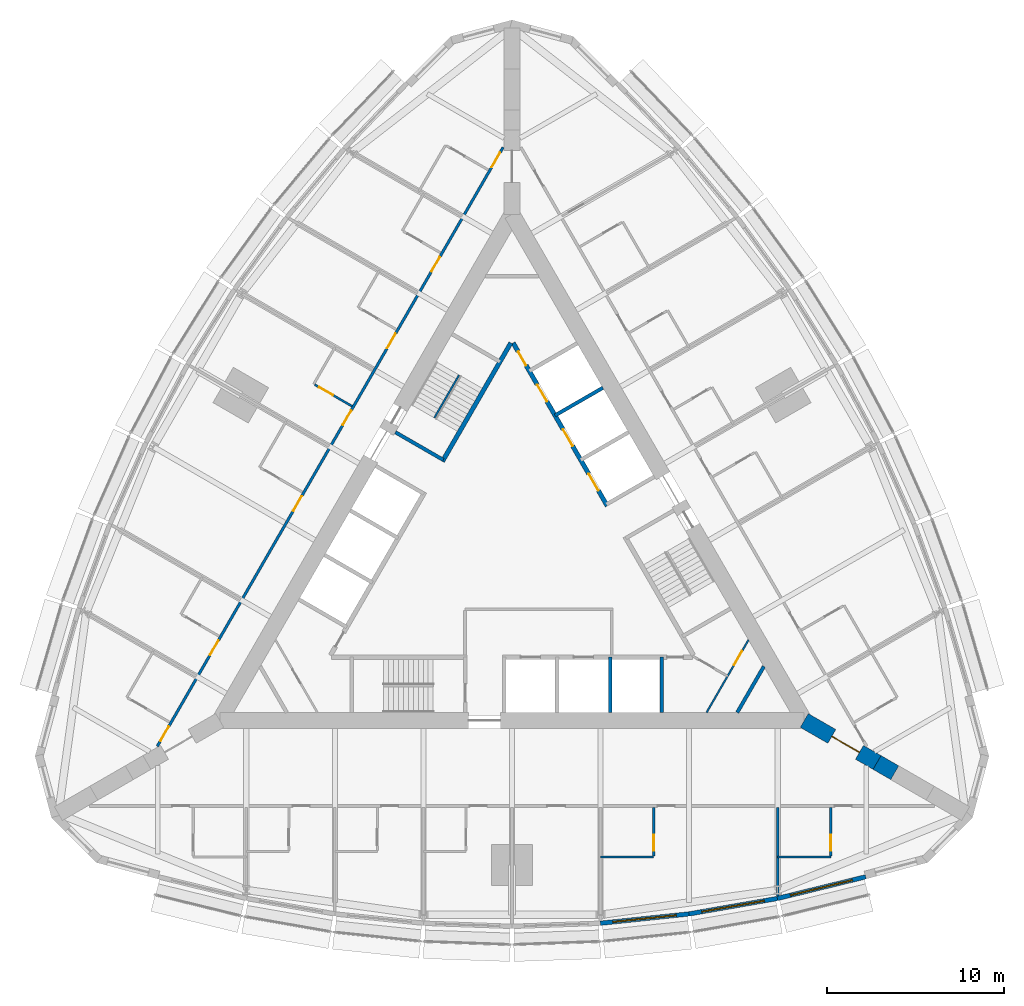
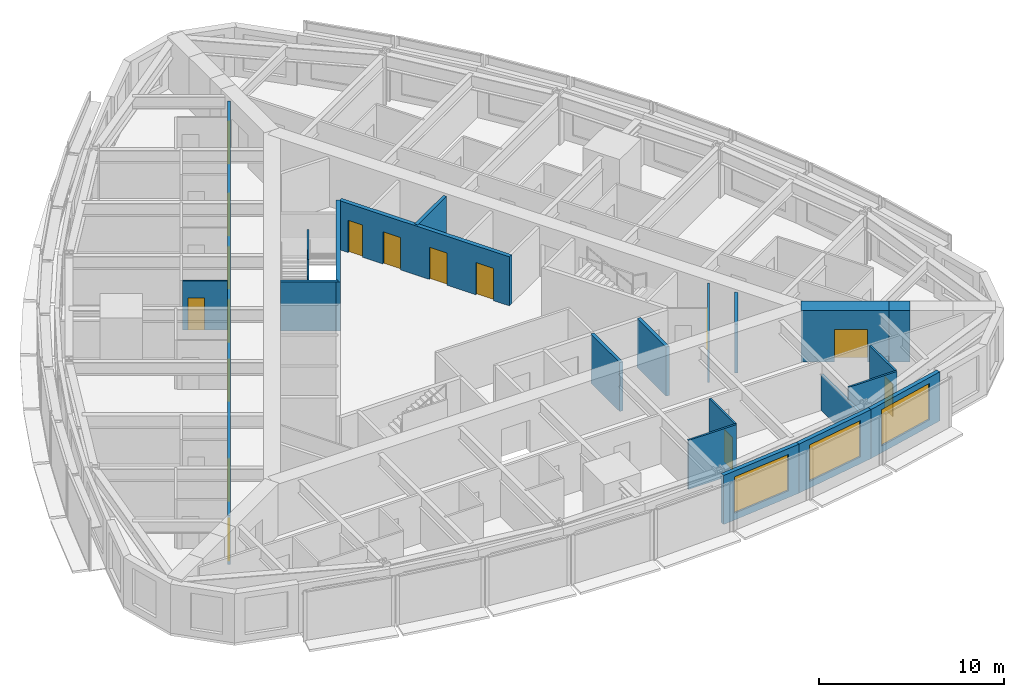
# One storey, part 10 of 14: 21 walls, 16 doors, 3 windows, 19 openings.
"""IFC4 building model written with IfcOpenShell, lengths in metres."""

from ifc_helpers import new_model, si_unit, direction, frame, frame_2d, origin, place, context, subcontext, project, spatial, rectangle, extrude, material, layer, layer_set, type_object, element, fill, save


model = new_model("IFC4")

# Units and contexts
model_context = context("Model", 3, precision=1e-05, world=origin(), true_north=direction((0.0, 1.0)))
body_context = subcontext(model_context, "Body", "Model", "MODEL_VIEW")
ifc_project = project(units=[si_unit("LENGTHUNIT", "METRE"), si_unit("AREAUNIT", "SQUARE_METRE"), si_unit("VOLUMEUNIT", "CUBIC_METRE"), si_unit("PLANEANGLEUNIT", "RADIAN"), si_unit("MASSUNIT", "GRAM", prefix="KILO")], contexts=[model_context])

# Site, building, storey
site_placement = place(None, origin())
site = spatial("IfcSite", under=ifc_project, at=site_placement, CompositionType="ELEMENT")
building_placement = place(site_placement, origin())
building = spatial("IfcBuilding", under=site, at=building_placement, Name="Trikona Tower", CompositionType="ELEMENT")
storey_placement = place(building_placement, frame((0.0, 0.0, 114.699951171875)))
storey = spatial("IfcBuildingStorey", under=building, at=storey_placement, Name="L29", CompositionType="ELEMENT", Elevation=114.699951171875)

# Wall
ifc_material_1 = material(Name="Metal stud and cement board", Category="gypsum")
ifc_layer_1 = layer(ifc_material_1, 0.1201171875)
ifc_layer_set_1 = layer_set([ifc_layer_1], Name="Bathroom wall 120")
wall_type_1 = type_object("IfcWallType", Name="Bathroom wall 120", PredefinedType="PLUMBINGWALL", material=ifc_layer_set_1)
wall_1_placement = place(storey_placement, frame((5.0, -17.226318359375, 0.0), z_axis=(0.0, 0.0, 1.0), x_axis=(1.0, 0.0, 0.0)))
element("IfcWall", 1, at=wall_1_placement, inside=storey, type_object=wall_type_1, Name="Bathroom wall 2905", PredefinedType="PLUMBINGWALL", context=body_context, shape_type="SweptSolid", body=[
    extrude(rectangle(XDim=3.0, YDim=0.1201171875, at=frame_2d((1.5, 0.0))), origin(), (0.0, 0.0, 1.0), 3.235107421875),
])

# Wall, opening, door
wall_2_placement = place(storey_placement, frame((8.0, -14.42626953125, 0.0), z_axis=(0.0, 0.0, 1.0), x_axis=(0.0, -1.0, 0.0)))
wall_2 = element("IfcWall", 2, at=wall_2_placement, inside=storey, type_object=wall_type_1, Name="Bathroom wall 2905", PredefinedType="PLUMBINGWALL", context=body_context, shape_type="SweptSolid", body=[
    extrude(rectangle(XDim=2.739990234375, YDim=0.1201171875, at=frame_2d((1.3701171875, 0.0))), origin(), (0.0, 0.0, 1.0), 3.235107421875),
])
opening_1_placement = place(wall_2_placement, frame((1.550048828125, 0.0, 0.0)))
opening_1 = element("IfcOpeningElement", 3, at=opening_1_placement, cuts=wall_2, Name="Opening D2", PredefinedType="OPENING", context=body_context, shape_type="SweptSolid", body=[
    extrude(rectangle(XDim=0.89990234375, YDim=2.1298828125, at=frame_2d((0.449951171875, 1.06494140625))), frame((0.0, 0.070068359375, 0.0), z_axis=(0.0, -1.0, 0.0), x_axis=(1.0, 0.0, 0.0)), (0.0, 0.0, 1.0), 0.14013671875),
])
ifc_material_2 = material(Name="Steel door frame with solid-core timber leaf", Category="steel")
door_type_1 = type_object("IfcDoorType", Name="Bathroom door 900x2130", OperationType="SLIDING_TO_LEFT", PredefinedType="DOOR", material=ifc_material_2)
door_1_placement = place(opening_1_placement, origin())
door_1 = element("IfcDoor", 4, at=door_1_placement, inside=storey, type_object=door_type_1, Name="Bathroom door 2905", OperationType="SLIDING_TO_LEFT", OverallHeight=2.1298828125, OverallWidth=0.89990234375, PredefinedType="DOOR", context=body_context, shape_type="SweptSolid", body=[
    extrude(rectangle(XDim=0.89990234375, YDim=2.1298828125, at=frame_2d((0.449951171875, 1.06494140625))), frame((0.0, 0.02490234375, 0.0), z_axis=(0.0, -1.0, 0.0), x_axis=(1.0, 0.0, 0.0)), (0.0, 0.0, 1.0), 0.050048828125),
])
fill(opening_1, door_1)

# Wall
wall_3_placement = place(storey_placement, frame((15.0, -17.226318359375, 0.0), z_axis=(0.0, 0.0, 1.0), x_axis=(1.0, 0.0, 0.0)))
element("IfcWall", 5, at=wall_3_placement, inside=storey, type_object=wall_type_1, Name="Bathroom wall 2906", PredefinedType="PLUMBINGWALL", context=body_context, shape_type="SweptSolid", body=[
    extrude(rectangle(XDim=3.0, YDim=0.1201171875, at=frame_2d((1.5, 0.0))), origin(), (0.0, 0.0, 1.0), 3.235107421875),
])

# Wall, opening, door
wall_4_placement = place(storey_placement, frame((18.0, -14.42626953125, 0.0), z_axis=(0.0, 0.0, 1.0), x_axis=(0.0, -1.0, 0.0)))
wall_4 = element("IfcWall", 6, at=wall_4_placement, inside=storey, type_object=wall_type_1, Name="Bathroom wall 2906", PredefinedType="PLUMBINGWALL", context=body_context, shape_type="SweptSolid", body=[
    extrude(rectangle(XDim=2.739990234375, YDim=0.1201171875, at=frame_2d((1.3701171875, 0.0))), origin(), (0.0, 0.0, 1.0), 3.235107421875),
])
opening_2_placement = place(wall_4_placement, frame((1.550048828125, 0.0, 0.0)))
opening_2 = element("IfcOpeningElement", 7, at=opening_2_placement, cuts=wall_4, Name="Opening D2", PredefinedType="OPENING", context=body_context, shape_type="SweptSolid", body=[
    extrude(rectangle(XDim=0.89990234375, YDim=2.1298828125, at=frame_2d((0.449951171875, 1.06494140625))), frame((0.0, 0.070068359375, 0.0), z_axis=(0.0, -1.0, 0.0), x_axis=(1.0, 0.0, 0.0)), (0.0, 0.0, 1.0), 0.14013671875),
])
door_2_placement = place(opening_2_placement, origin())
door_2 = element("IfcDoor", 8, at=door_2_placement, inside=storey, type_object=door_type_1, Name="Bathroom door 2906", OperationType="SLIDING_TO_LEFT", OverallHeight=2.1298828125, OverallWidth=0.89990234375, PredefinedType="DOOR", context=body_context, shape_type="SweptSolid", body=[
    extrude(rectangle(XDim=0.89990234375, YDim=2.1298828125, at=frame_2d((0.449951171875, 1.06494140625))), frame((0.0, 0.02490234375, 0.0), z_axis=(0.0, -1.0, 0.0), x_axis=(1.0, 0.0, 0.0)), (0.0, 0.0, 1.0), 0.050048828125),
])
fill(opening_2, door_2)

wall_5_placement = place(storey_placement, frame((-9.028564453125, 8.21484375, 0.0), z_axis=(0.0, 0.0, 1.0), x_axis=(-0.866023955769, 0.500002508028, 0.0)))
wall_5 = element("IfcWall", 9, at=wall_5_placement, inside=storey, type_object=wall_type_1, Name="Bathroom wall 2916", PredefinedType="PLUMBINGWALL", context=body_context, shape_type="SweptSolid", body=[
    extrude(rectangle(XDim=2.43994140625, YDim=0.1201171875, at=frame_2d((1.219970703125, 0.0))), origin(), (0.0, 0.0, 1.0), 3.235107421875),
])
opening_3_placement = place(wall_5_placement, frame((1.25, 0.0, 0.0)))
opening_3 = element("IfcOpeningElement", 10, at=opening_3_placement, cuts=wall_5, Name="Opening D2", PredefinedType="OPENING", context=body_context, shape_type="SweptSolid", body=[
    extrude(rectangle(XDim=0.89990234375, YDim=2.1298828125, at=frame_2d((0.449951171875, 1.06494140625))), frame((0.0, 0.070068359375, 0.0), z_axis=(0.0, -1.0, 0.0), x_axis=(1.0, 0.0, 0.0)), (0.0, 0.0, 1.0), 0.14013671875),
])
door_3_placement = place(opening_3_placement, origin())
door_3 = element("IfcDoor", 11, at=door_3_placement, inside=storey, type_object=door_type_1, Name="Bathroom door 2916", OperationType="SLIDING_TO_LEFT", OverallHeight=2.1298828125, OverallWidth=0.89990234375, PredefinedType="DOOR", context=body_context, shape_type="SweptSolid", body=[
    extrude(rectangle(XDim=0.89990234375, YDim=2.1298828125, at=frame_2d((0.449951171875, 1.06494140625))), frame((0.0, 0.02490234375, 0.0), z_axis=(0.0, -1.0, 0.0), x_axis=(1.0, 0.0, 0.0)), (0.0, 0.0, 1.0), 0.050048828125),
])
fill(opening_3, door_3)

ifc_material_3 = material(Name="Concrete f'c 10000 psi", Category="concrete")
ifc_layer_2 = layer(ifc_material_3, 0.89990234375)
ifc_layer_set_2 = layer_set([ifc_layer_2], Name="Buttress wall 900")
wall_type_2 = type_object("IfcWallType", Name="Buttress wall 900", PredefinedType="SHEAR", material=ifc_layer_set_2)
wall_6_placement = place(storey_placement, frame((16.5, -9.5263671875, 0.0), z_axis=(0.0, 0.0, 1.0), x_axis=(0.866031398331, -0.499989616998, 0.0)))
wall_6 = element("IfcWall", 12, at=wall_6_placement, inside=storey, type_object=wall_type_2, Name="Buttress wall 1", PredefinedType="SHEAR", context=body_context, shape_type="SweptSolid", body=[
    extrude(rectangle(XDim=4.74609375, YDim=0.89990234375, at=frame_2d((2.373046875, 0.0))), origin(), (0.0, 0.0, 1.0), 3.400146484375),
])
opening_4_placement = place(wall_6_placement, frame((1.800048828125, 0.0, 0.0)))
opening_4 = element("IfcOpeningElement", 13, at=opening_4_placement, cuts=wall_6, Name="Opening D10", PredefinedType="OPENING", context=body_context, shape_type="SweptSolid", body=[
    extrude(rectangle(XDim=1.800048828125, YDim=2.1298828125, at=frame_2d((0.89990234375, 1.06494140625))), frame((0.0, 0.4599609375, 0.0), z_axis=(0.0, -1.0, 0.0), x_axis=(1.0, 0.0, 0.0)), (0.0, 0.0, 1.0), 0.919921875),
])
ifc_material_4 = material(Name="Hollow metal door and frame", Category="steel")
door_type_2 = type_object("IfcDoorType", Name="Cross-corridor door pair 1800x2130", OperationType="DOUBLE_DOOR_DOUBLE_SWING", PredefinedType="DOOR", material=ifc_material_4)
door_4_placement = place(opening_4_placement, origin())
door_4 = element("IfcDoor", 14, at=door_4_placement, inside=storey, type_object=door_type_2, Name="Cross-corridor door 1", OperationType="DOUBLE_DOOR_DOUBLE_SWING", OverallHeight=2.1298828125, OverallWidth=1.800048828125, PredefinedType="DOOR", context=body_context, shape_type="SweptSolid", body=[
    extrude(rectangle(XDim=1.800048828125, YDim=2.1298828125, at=frame_2d((0.89990234375, 1.06494140625))), frame((0.0, 0.02490234375, 0.0), z_axis=(0.0, -1.0, 0.0), x_axis=(1.0, 0.0, 0.0)), (0.0, 0.0, 1.0), 0.050048828125),
])
fill(opening_4, door_4)

# Wall
wall_7_placement = place(storey_placement, frame((20.6103515625, -11.8994140625, 0.0), z_axis=(0.0, 0.0, 1.0), x_axis=(0.866009537788, -0.500027479704, 0.0)))
element("IfcWall", 15, at=wall_7_placement, inside=storey, type_object=wall_type_2, Name="Buttress wall 1 part 2", PredefinedType="SHEAR", context=body_context, shape_type="SweptSolid", body=[
    extrude(rectangle(XDim=1.15478515625, YDim=0.89990234375, at=frame_2d((0.577392578125, 0.0))), origin(), (0.0, 0.0, 1.0), 3.400146484375),
])

# Wall, openings, doors
ifc_material_5 = material(Name="Metal stud and gypsum board, 1-hour", Category="gypsum")
ifc_layer_3 = layer(ifc_material_5, 0.14990234375)
ifc_layer_set_3 = layer_set([ifc_layer_3], Name="Corridor wall 150")
wall_type_3 = type_object("IfcWallType", Name="Corridor wall 150", PredefinedType="PARTITIONING", material=ifc_layer_set_3)
wall_8_placement = place(storey_placement, frame((-0.5, 22.83642578125, 0.0), z_axis=(0.0, 0.0, 1.0), x_axis=(-0.500001677587, -0.866024435227, 0.0)))
wall_8 = element("IfcWall", 16, at=wall_8_placement, inside=storey, type_object=wall_type_3, Name="Corridor wall L29-3", PredefinedType="PARTITIONING", context=body_context, shape_type="SweptSolid", body=[
    extrude(rectangle(XDim=39.053955078125, YDim=0.14990234375, at=frame_2d((19.52685546875, 0.0))), origin(), (0.0, 0.0, 1.0), 3.235107421875),
])
opening_5_placement = place(wall_8_placement, frame((0.35205078125, 0.0, 0.0)))
opening_5 = element("IfcOpeningElement", 17, at=opening_5_placement, cuts=wall_8, Name="Opening D1", PredefinedType="OPENING", context=body_context, shape_type="SweptSolid", body=[
    extrude(rectangle(XDim=0.949951171875, YDim=2.1298828125, at=frame_2d((0.47509765625, 1.06494140625))), frame((0.0, 0.0849609375, 0.0), z_axis=(0.0, -1.0, 0.0), x_axis=(1.0, 0.0, 0.0)), (0.0, 0.0, 1.0), 0.169921875),
])
opening_6_placement = place(wall_8_placement, frame((7.152099609375, 0.0, 0.0)))
opening_6 = element("IfcOpeningElement", 18, at=opening_6_placement, cuts=wall_8, Name="Opening D1", PredefinedType="OPENING", context=body_context, shape_type="SweptSolid", body=[
    extrude(rectangle(XDim=0.949951171875, YDim=2.1298828125, at=frame_2d((0.47509765625, 1.06494140625))), frame((0.0, 0.0849609375, 0.0), z_axis=(0.0, -1.0, 0.0), x_axis=(1.0, 0.0, 0.0)), (0.0, 0.0, 1.0), 0.169921875),
])
opening_7_placement = place(wall_8_placement, frame((12.152099609375, 0.0, 0.0)))
opening_7 = element("IfcOpeningElement", 19, at=opening_7_placement, cuts=wall_8, Name="Opening D1", PredefinedType="OPENING", context=body_context, shape_type="SweptSolid", body=[
    extrude(rectangle(XDim=0.949951171875, YDim=2.1298828125, at=frame_2d((0.47509765625, 1.06494140625))), frame((0.0, 0.0849609375, 0.0), z_axis=(0.0, -1.0, 0.0), x_axis=(1.0, 0.0, 0.0)), (0.0, 0.0, 1.0), 0.169921875),
])
opening_8_placement = place(wall_8_placement, frame((17.152099609375, 0.0, 0.0)))
opening_8 = element("IfcOpeningElement", 20, at=opening_8_placement, cuts=wall_8, Name="Opening D1", PredefinedType="OPENING", context=body_context, shape_type="SweptSolid", body=[
    extrude(rectangle(XDim=0.949951171875, YDim=2.1298828125, at=frame_2d((0.47509765625, 1.06494140625))), frame((0.0, 0.0849609375, 0.0), z_axis=(0.0, -1.0, 0.0), x_axis=(1.0, 0.0, 0.0)), (0.0, 0.0, 1.0), 0.169921875),
])
opening_9_placement = place(wall_8_placement, frame((22.751953125, 0.0, 0.0)))
opening_9 = element("IfcOpeningElement", 21, at=opening_9_placement, cuts=wall_8, Name="Opening D1", PredefinedType="OPENING", context=body_context, shape_type="SweptSolid", body=[
    extrude(rectangle(XDim=0.949951171875, YDim=2.1298828125, at=frame_2d((0.47509765625, 1.06494140625))), frame((0.0, 0.0849609375, 0.0), z_axis=(0.0, -1.0, 0.0), x_axis=(1.0, 0.0, 0.0)), (0.0, 0.0, 1.0), 0.169921875),
])
opening_10_placement = place(wall_8_placement, frame((32.152099609375, 0.0, 0.0)))
opening_10 = element("IfcOpeningElement", 22, at=opening_10_placement, cuts=wall_8, Name="Opening D1", PredefinedType="OPENING", context=body_context, shape_type="SweptSolid", body=[
    extrude(rectangle(XDim=0.949951171875, YDim=2.1298828125, at=frame_2d((0.47509765625, 1.06494140625))), frame((0.0, 0.0849609375, 0.0), z_axis=(0.0, -1.0, 0.0), x_axis=(1.0, 0.0, 0.0)), (0.0, 0.0, 1.0), 0.169921875),
])
opening_11_placement = place(wall_8_placement, frame((37.751953125, 0.0, 0.0)))
opening_11 = element("IfcOpeningElement", 23, at=opening_11_placement, cuts=wall_8, Name="Opening D1", PredefinedType="OPENING", context=body_context, shape_type="SweptSolid", body=[
    extrude(rectangle(XDim=0.949951171875, YDim=2.1298828125, at=frame_2d((0.47509765625, 1.06494140625))), frame((0.0, 0.0849609375, 0.0), z_axis=(0.0, -1.0, 0.0), x_axis=(1.0, 0.0, 0.0)), (0.0, 0.0, 1.0), 0.169921875),
])
ifc_material_6 = material(Name="Steel door frame with solid-core timber leaf", Category="steel")
door_type_3 = type_object("IfcDoorType", Name="Guest room door 950x2130", OperationType="SINGLE_SWING_LEFT", PredefinedType="DOOR", material=ifc_material_6)
door_5_placement = place(opening_5_placement, origin())
door_5 = element("IfcDoor", 24, at=door_5_placement, inside=storey, type_object=door_type_3, Name="Room door 2913", OperationType="SINGLE_SWING_LEFT", OverallHeight=2.1298828125, OverallWidth=0.949951171875, PredefinedType="DOOR", context=body_context, shape_type="SweptSolid", body=[
    extrude(rectangle(XDim=0.949951171875, YDim=2.1298828125, at=frame_2d((0.47509765625, 1.06494140625))), frame((0.0, 0.02490234375, 0.0), z_axis=(0.0, -1.0, 0.0), x_axis=(1.0, 0.0, 0.0)), (0.0, 0.0, 1.0), 0.050048828125),
])
fill(opening_5, door_5)
door_6_placement = place(opening_6_placement, origin())
door_6 = element("IfcDoor", 25, at=door_6_placement, inside=storey, type_object=door_type_3, Name="Room door 2914", OperationType="SINGLE_SWING_RIGHT", OverallHeight=2.1298828125, OverallWidth=0.949951171875, PredefinedType="DOOR", context=body_context, shape_type="SweptSolid", body=[
    extrude(rectangle(XDim=0.949951171875, YDim=2.1298828125, at=frame_2d((0.47509765625, 1.06494140625))), frame((0.0, 0.02490234375, 0.0), z_axis=(0.0, -1.0, 0.0), x_axis=(1.0, 0.0, 0.0)), (0.0, 0.0, 1.0), 0.050048828125),
])
fill(opening_6, door_6)
door_7_placement = place(opening_7_placement, origin())
door_7 = element("IfcDoor", 26, at=door_7_placement, inside=storey, type_object=door_type_3, Name="Room door 2915", OperationType="SINGLE_SWING_LEFT", OverallHeight=2.1298828125, OverallWidth=0.949951171875, PredefinedType="DOOR", context=body_context, shape_type="SweptSolid", body=[
    extrude(rectangle(XDim=0.949951171875, YDim=2.1298828125, at=frame_2d((0.47509765625, 1.06494140625))), frame((0.0, 0.02490234375, 0.0), z_axis=(0.0, -1.0, 0.0), x_axis=(1.0, 0.0, 0.0)), (0.0, 0.0, 1.0), 0.050048828125),
])
fill(opening_7, door_7)
door_8_placement = place(opening_8_placement, origin())
door_8 = element("IfcDoor", 27, at=door_8_placement, inside=storey, type_object=door_type_3, Name="Room door 2916", OperationType="SINGLE_SWING_RIGHT", OverallHeight=2.1298828125, OverallWidth=0.949951171875, PredefinedType="DOOR", context=body_context, shape_type="SweptSolid", body=[
    extrude(rectangle(XDim=0.949951171875, YDim=2.1298828125, at=frame_2d((0.47509765625, 1.06494140625))), frame((0.0, 0.02490234375, 0.0), z_axis=(0.0, -1.0, 0.0), x_axis=(1.0, 0.0, 0.0)), (0.0, 0.0, 1.0), 0.050048828125),
])
fill(opening_8, door_8)
door_9_placement = place(opening_9_placement, origin())
door_9 = element("IfcDoor", 28, at=door_9_placement, inside=storey, type_object=door_type_3, Name="Room door 2917", OperationType="SINGLE_SWING_LEFT", OverallHeight=2.1298828125, OverallWidth=0.949951171875, PredefinedType="DOOR", context=body_context, shape_type="SweptSolid", body=[
    extrude(rectangle(XDim=0.949951171875, YDim=2.1298828125, at=frame_2d((0.47509765625, 1.06494140625))), frame((0.0, 0.02490234375, 0.0), z_axis=(0.0, -1.0, 0.0), x_axis=(1.0, 0.0, 0.0)), (0.0, 0.0, 1.0), 0.050048828125),
])
fill(opening_9, door_9)
door_10_placement = place(opening_10_placement, origin())
door_10 = element("IfcDoor", 29, at=door_10_placement, inside=storey, type_object=door_type_3, Name="Room door 2918", OperationType="SINGLE_SWING_RIGHT", OverallHeight=2.1298828125, OverallWidth=0.949951171875, PredefinedType="DOOR", context=body_context, shape_type="SweptSolid", body=[
    extrude(rectangle(XDim=0.949951171875, YDim=2.1298828125, at=frame_2d((0.47509765625, 1.06494140625))), frame((0.0, 0.02490234375, 0.0), z_axis=(0.0, -1.0, 0.0), x_axis=(1.0, 0.0, 0.0)), (0.0, 0.0, 1.0), 0.050048828125),
])
fill(opening_10, door_10)
door_11_placement = place(opening_11_placement, origin())
door_11 = element("IfcDoor", 30, at=door_11_placement, inside=storey, type_object=door_type_3, Name="Room door 2919", OperationType="SINGLE_SWING_RIGHT", OverallHeight=2.1298828125, OverallWidth=0.949951171875, PredefinedType="DOOR", context=body_context, shape_type="SweptSolid", body=[
    extrude(rectangle(XDim=0.949951171875, YDim=2.1298828125, at=frame_2d((0.47509765625, 1.06494140625))), frame((0.0, 0.02490234375, 0.0), z_axis=(0.0, -1.0, 0.0), x_axis=(1.0, 0.0, 0.0)), (0.0, 0.0, 1.0), 0.050048828125),
])
fill(opening_11, door_11)

ifc_material_7 = material(Name="Concrete f'c 8000 psi", Category="concrete")
ifc_layer_4 = layer(ifc_material_7, 0.25)
ifc_layer_set_4 = layer_set([ifc_layer_4], Name="Hub wall 250")
wall_type_4 = type_object("IfcWallType", Name="Hub wall 250", PredefinedType="SOLIDWALL", material=ifc_layer_set_4)
wall_9_placement = place(storey_placement, frame((5.37890625, 2.5859375, 0.0), z_axis=(0.0, 0.0, 1.0), x_axis=(-0.500001375892, 0.866024609411, 0.0)))
wall_9 = element("IfcWall", 31, at=wall_9_placement, inside=storey, type_object=wall_type_4, Name="Lift lobby wall B2", PredefinedType="SOLIDWALL", context=body_context, shape_type="SweptSolid", body=[
    extrude(rectangle(XDim=10.6328125, YDim=0.25, at=frame_2d((5.31640625, 0.0))), origin(), (0.0, 0.0, 1.0), 3.235107421875),
])
opening_12_placement = place(wall_9_placement, frame((9.1640625, 0.0, 0.0)))
opening_12 = element("IfcOpeningElement", 32, at=opening_12_placement, cuts=wall_9, Name="Opening D14", PredefinedType="OPENING", context=body_context, shape_type="SweptSolid", body=[
    extrude(rectangle(XDim=0.89990234375, YDim=2.1298828125, at=frame_2d((0.449951171875, 1.06494140625))), frame((0.0, 0.135009765625, 0.0), z_axis=(0.0, -1.0, 0.0), x_axis=(1.0, 0.0, 0.0)), (0.0, 0.0, 1.0), 0.27001953125),
])
opening_13_placement = place(wall_9_placement, frame((1.0, 0.0, 0.0)))
opening_13 = element("IfcOpeningElement", 33, at=opening_13_placement, cuts=wall_9, Name="Opening LD", PredefinedType="OPENING", context=body_context, shape_type="SweptSolid", body=[
    extrude(rectangle(XDim=1.10009765625, YDim=2.1298828125, at=frame_2d((0.550048828125, 1.06494140625))), frame((0.0, 0.135009765625, 0.0), z_axis=(0.0, -1.0, 0.0), x_axis=(1.0, 0.0, 0.0)), (0.0, 0.0, 1.0), 0.27001953125),
])
opening_14_placement = place(wall_9_placement, frame((3.89990234375, 0.0, 0.0)))
opening_14 = element("IfcOpeningElement", 34, at=opening_14_placement, cuts=wall_9, Name="Opening LD", PredefinedType="OPENING", context=body_context, shape_type="SweptSolid", body=[
    extrude(rectangle(XDim=1.10009765625, YDim=2.1298828125, at=frame_2d((0.550048828125, 1.06494140625))), frame((0.0, 0.135009765625, 0.0), z_axis=(0.0, -1.0, 0.0), x_axis=(1.0, 0.0, 0.0)), (0.0, 0.0, 1.0), 0.27001953125),
])
opening_15_placement = place(wall_9_placement, frame((6.800048828125, 0.0, 0.0)))
opening_15 = element("IfcOpeningElement", 35, at=opening_15_placement, cuts=wall_9, Name="Opening LD", PredefinedType="OPENING", context=body_context, shape_type="SweptSolid", body=[
    extrude(rectangle(XDim=1.10009765625, YDim=2.1298828125, at=frame_2d((0.550048828125, 1.06494140625))), frame((0.0, 0.135009765625, 0.0), z_axis=(0.0, -1.0, 0.0), x_axis=(1.0, 0.0, 0.0)), (0.0, 0.0, 1.0), 0.27001953125),
])
ifc_material_8 = material(Name="Stainless steel lift landing door", Category="steel")
door_type_4 = type_object("IfcDoorType", Name="Lift landing door 1100x2130", OperationType="DOUBLE_DOOR_SLIDING", PredefinedType="USERDEFINED", material=ifc_material_8)
door_12_placement = place(opening_13_placement, origin())
door_12 = element("IfcDoor", 36, at=door_12_placement, inside=storey, type_object=door_type_4, Name="Lift landing door L2-1", ObjectType="LIFT LANDING DOOR", OperationType="DOUBLE_DOOR_SLIDING", OverallHeight=2.1298828125, OverallWidth=1.10009765625, PredefinedType="USERDEFINED", context=body_context, shape_type="SweptSolid", body=[
    extrude(rectangle(XDim=1.10009765625, YDim=2.1298828125, at=frame_2d((0.550048828125, 1.06494140625))), frame((0.0, 0.02490234375, 0.0), z_axis=(0.0, -1.0, 0.0), x_axis=(1.0, 0.0, 0.0)), (0.0, 0.0, 1.0), 0.050048828125),
])
fill(opening_13, door_12)
door_13_placement = place(opening_14_placement, origin())
door_13 = element("IfcDoor", 37, at=door_13_placement, inside=storey, type_object=door_type_4, Name="Lift landing door L2-2", ObjectType="LIFT LANDING DOOR", OperationType="DOUBLE_DOOR_SLIDING", OverallHeight=2.1298828125, OverallWidth=1.10009765625, PredefinedType="USERDEFINED", context=body_context, shape_type="SweptSolid", body=[
    extrude(rectangle(XDim=1.10009765625, YDim=2.1298828125, at=frame_2d((0.550048828125, 1.06494140625))), frame((0.0, 0.02490234375, 0.0), z_axis=(0.0, -1.0, 0.0), x_axis=(1.0, 0.0, 0.0)), (0.0, 0.0, 1.0), 0.050048828125),
])
fill(opening_14, door_13)
door_14_placement = place(opening_15_placement, origin())
door_14 = element("IfcDoor", 38, at=door_14_placement, inside=storey, type_object=door_type_4, Name="Lift landing door L2-3", ObjectType="LIFT LANDING DOOR", OperationType="DOUBLE_DOOR_SLIDING", OverallHeight=2.1298828125, OverallWidth=1.10009765625, PredefinedType="USERDEFINED", context=body_context, shape_type="SweptSolid", body=[
    extrude(rectangle(XDim=1.10009765625, YDim=2.1298828125, at=frame_2d((0.550048828125, 1.06494140625))), frame((0.0, 0.02490234375, 0.0), z_axis=(0.0, -1.0, 0.0), x_axis=(1.0, 0.0, 0.0)), (0.0, 0.0, 1.0), 0.050048828125),
])
fill(opening_15, door_14)
ifc_material_9 = material(Name="Hollow metal door and frame", Category="steel")
door_type_5 = type_object("IfcDoorType", Name="Service room door 900x2130", OperationType="SINGLE_SWING_LEFT", PredefinedType="DOOR", material=ifc_material_9)
door_15_placement = place(opening_12_placement, origin())
door_15 = element("IfcDoor", 39, at=door_15_placement, inside=storey, type_object=door_type_5, Name="Door Linen store LIN", OperationType="SINGLE_SWING_RIGHT", OverallHeight=2.1298828125, OverallWidth=0.89990234375, PredefinedType="DOOR", context=body_context, shape_type="SweptSolid", body=[
    extrude(rectangle(XDim=0.89990234375, YDim=2.1298828125, at=frame_2d((0.449951171875, 1.06494140625))), frame((0.0, 0.02490234375, 0.0), z_axis=(0.0, -1.0, 0.0), x_axis=(1.0, 0.0, 0.0)), (0.0, 0.0, 1.0), 0.050048828125),
])
fill(opening_12, door_15)

# Wall
wall_10_placement = place(storey_placement, frame((-0.0625, 11.794189453125, 0.0), z_axis=(0.0, 0.0, 1.0), x_axis=(-0.500006680225, -0.86602154692, 0.0)))
element("IfcWall", 40, at=wall_10_placement, inside=storey, type_object=wall_type_4, Name="Lift lobby wall C1", PredefinedType="SOLIDWALL", context=body_context, shape_type="SweptSolid", body=[
    extrude(rectangle(XDim=7.73291015625, YDim=0.25, at=frame_2d((3.866455078125, 0.0))), origin(), (0.0, 0.0, 1.0), 3.235107421875),
])

# Wall, opening, window
ifc_material_10 = material(Name="Insulated precast concrete spandrel panel", Category="concrete")
ifc_layer_5 = layer(ifc_material_10, 0.25)
ifc_layer_set_5 = layer_set([ifc_layer_5], Name="Inner skin wall 250")
wall_type_5 = type_object("IfcWallType", Name="Inner skin wall 250", PredefinedType="STANDARD", material=ifc_layer_set_5)
wall_11_placement = place(storey_placement, frame((4.98681640625, -20.975830078125, 0.0), z_axis=(0.0, 0.0, 1.0), x_axis=(0.994534683851, 0.104406717299, 0.0)))
wall_11 = element("IfcWall", 41, at=wall_11_placement, inside=storey, type_object=wall_type_5, Name="External wall L29-05", PredefinedType="STANDARD", context=body_context, shape_type="SweptSolid", body=[
    extrude(rectangle(XDim=5.027587890625, YDim=0.25, at=frame_2d((2.513671875, 0.0))), origin(), (0.0, 0.0, 1.0), 3.235107421875),
])
opening_16_placement = place(wall_11_placement, frame((0.713623046875, 0.0, 0.449951171875)))
opening_16 = element("IfcOpeningElement", 42, at=opening_16_placement, cuts=wall_11, Name="Opening W3624", PredefinedType="OPENING", context=body_context, shape_type="SweptSolid", body=[
    extrude(rectangle(XDim=3.60009765625, YDim=2.39990234375, at=frame_2d((1.800048828125, 1.199951171875))), frame((0.0, 0.135009765625, 0.0), z_axis=(0.0, -1.0, 0.0), x_axis=(1.0, 0.0, 0.0)), (0.0, 0.0, 1.0), 0.27001953125),
])
ifc_material_11 = material(Name="Aluminium-framed double glazing", Category="aluminium")
window_type = type_object("IfcWindowType", Name="Window 3600x2400", PartitioningType="SINGLE_PANEL", PredefinedType="WINDOW", material=ifc_material_11)
window_1_placement = place(opening_16_placement, origin())
window_1 = element("IfcWindow", 43, at=window_1_placement, inside=storey, type_object=window_type, Name="Window 2905", OverallHeight=2.39990234375, OverallWidth=3.60009765625, PartitioningType="SINGLE_PANEL", PredefinedType="WINDOW", context=body_context, shape_type="SweptSolid", body=[
    extrude(rectangle(XDim=3.60009765625, YDim=2.39990234375, at=frame_2d((1.800048828125, 1.199951171875))), frame((0.0, 0.030029296875, 0.0), z_axis=(0.0, -1.0, 0.0), x_axis=(1.0, 0.0, 0.0)), (0.0, 0.0, 1.0), 0.06005859375),
])
fill(opening_16, window_1)

wall_12_placement = place(storey_placement, frame((9.978515625, -20.4521484375, 0.0), z_axis=(0.0, 0.0, 1.0), x_axis=(0.985030467156, 0.172380331752, 0.0)))
wall_12 = element("IfcWall", 44, at=wall_12_placement, inside=storey, type_object=wall_type_5, Name="External wall L29-06", PredefinedType="STANDARD", context=body_context, shape_type="SweptSolid", body=[
    extrude(rectangle(XDim=5.075927734375, YDim=0.25, at=frame_2d((2.5380859375, 0.0))), origin(), (0.0, 0.0, 1.0), 3.235107421875),
])
opening_17_placement = place(wall_12_placement, frame((0.738037109375, 0.0, 0.449951171875)))
opening_17 = element("IfcOpeningElement", 45, at=opening_17_placement, cuts=wall_12, Name="Opening W3624", PredefinedType="OPENING", context=body_context, shape_type="SweptSolid", body=[
    extrude(rectangle(XDim=3.60009765625, YDim=2.39990234375, at=frame_2d((1.800048828125, 1.199951171875))), frame((0.0, 0.135009765625, 0.0), z_axis=(0.0, -1.0, 0.0), x_axis=(1.0, 0.0, 0.0)), (0.0, 0.0, 1.0), 0.27001953125),
])
window_2_placement = place(opening_17_placement, origin())
window_2 = element("IfcWindow", 46, at=window_2_placement, inside=storey, type_object=window_type, Name="Window 2905", OverallHeight=2.39990234375, OverallWidth=3.60009765625, PartitioningType="SINGLE_PANEL", PredefinedType="WINDOW", context=body_context, shape_type="SweptSolid", body=[
    extrude(rectangle(XDim=3.60009765625, YDim=2.39990234375, at=frame_2d((1.800048828125, 1.199951171875))), frame((0.0, 0.030029296875, 0.0), z_axis=(0.0, -1.0, 0.0), x_axis=(1.0, 0.0, 0.0)), (0.0, 0.0, 1.0), 0.06005859375),
])
fill(opening_17, window_2)

wall_13_placement = place(storey_placement, frame((14.97021484375, -19.578857421875, 0.0), z_axis=(0.0, 0.0, 1.0), x_axis=(0.971270024053, 0.237980126011, 0.0)))
wall_13 = element("IfcWall", 47, at=wall_13_placement, inside=storey, type_object=wall_type_5, Name="External wall L29-07", PredefinedType="STANDARD", context=body_context, shape_type="SweptSolid", body=[
    extrude(rectangle(XDim=5.14794921875, YDim=0.25, at=frame_2d((2.573974609375, 0.0))), origin(), (0.0, 0.0, 1.0), 3.235107421875),
])
opening_18_placement = place(wall_13_placement, frame((0.77392578125, 0.0, 0.449951171875)))
opening_18 = element("IfcOpeningElement", 48, at=opening_18_placement, cuts=wall_13, Name="Opening W3624", PredefinedType="OPENING", context=body_context, shape_type="SweptSolid", body=[
    extrude(rectangle(XDim=3.60009765625, YDim=2.39990234375, at=frame_2d((1.800048828125, 1.199951171875))), frame((0.0, 0.135009765625, 0.0), z_axis=(0.0, -1.0, 0.0), x_axis=(1.0, 0.0, 0.0)), (0.0, 0.0, 1.0), 0.27001953125),
])
window_3_placement = place(opening_18_placement, origin())
window_3 = element("IfcWindow", 49, at=window_3_placement, inside=storey, type_object=window_type, Name="Window 2906", OverallHeight=2.39990234375, OverallWidth=3.60009765625, PartitioningType="SINGLE_PANEL", PredefinedType="WINDOW", context=body_context, shape_type="SweptSolid", body=[
    extrude(rectangle(XDim=3.60009765625, YDim=2.39990234375, at=frame_2d((1.800048828125, 1.199951171875))), frame((0.0, 0.030029296875, 0.0), z_axis=(0.0, -1.0, 0.0), x_axis=(1.0, 0.0, 0.0)), (0.0, 0.0, 1.0), 0.06005859375),
])
fill(opening_18, window_3)

# Walls
ifc_material_12 = material(Name="Metal stud and gypsum board, 1-hour acoustic", Category="gypsum")
ifc_layer_6 = layer(ifc_material_12, 0.14990234375)
ifc_layer_set_6 = layer_set([ifc_layer_6], Name="Party wall 150")
wall_type_6 = type_object("IfcWallType", Name="Party wall 150", PredefinedType="PARTITIONING", material=ifc_layer_set_6)
wall_14_placement = place(storey_placement, frame((15.0, -14.42626953125, 0.0), z_axis=(0.0, 0.0, 1.0), x_axis=(0.0, -1.0, 0.0)))
element("IfcWall", 50, at=wall_14_placement, inside=storey, type_object=wall_type_6, Name="Partition L29 F1 u15", PredefinedType="PARTITIONING", context=body_context, shape_type="SweptSolid", body=[
    extrude(rectangle(XDim=5.0166015625, YDim=0.14990234375, at=frame_2d((2.50830078125, 0.0))), origin(), (0.0, 0.0, 1.0), 2.38916015625),
])
ifc_material_13 = material(Name="Concrete f'c 8000 psi", Category="concrete")
ifc_layer_7 = layer(ifc_material_13, 0.199951171875)
ifc_layer_set_7 = layer_set([ifc_layer_7], Name="Shaft wall 200")
wall_type_7 = type_object("IfcWallType", Name="Shaft wall 200", PredefinedType="SOLIDWALL", material=ifc_layer_set_7)
for number, where, z_axis, x_axis, name in (
    (51, (5.550048828125, -5.951416015625, 0.0), (0.0, 0.0, 1.0), (0.0, -1.0, 0.0), "Shaft wall A5"),
    (52, (8.449951171875, -5.951416015625, 0.0), (0.0, 0.0, 1.0), (0.0, -1.0, 0.0), "Shaft wall A6"),
    (53, (2.428955078125, 7.695556640625, 0.0), (0.0, 0.0, 1.0), (0.866022959057, 0.500004234368, 0.0), "Shaft wall B5"),
):
    element("IfcWall", number, at=place(storey_placement, frame(where, z_axis=z_axis, x_axis=x_axis)), inside=storey, type_object=wall_type_7, Name=name, PredefinedType="SOLIDWALL", context=body_context, shape_type="SweptSolid", body=[
        extrude(rectangle(XDim=3.125, YDim=0.199951171875, at=frame_2d((1.5625, 0.0))), origin(), (0.0, 0.0, 1.0), 3.235107421875),
    ])
wall_15_placement = place(storey_placement, frame((14.219482421875, -6.476318359375, 0.0), z_axis=(0.0, 0.0, 1.0), x_axis=(-0.499952404951, -0.866052881055, 0.0)))
element("IfcWall", 54, at=wall_15_placement, inside=storey, type_object=wall_type_7, Name="Riser wall L29-RS1", PredefinedType="SOLIDWALL", context=body_context, shape_type="SweptSolid", body=[
    extrude(rectangle(XDim=3.002197265625, YDim=0.199951171875, at=frame_2d((1.5009765625, 0.0))), origin(), (0.0, 0.0, 1.0), 3.235107421875),
])
ifc_material_14 = material(Name="Concrete f'c 8000 psi", Category="concrete")
ifc_layer_8 = layer(ifc_material_14, 0.199951171875)
ifc_layer_set_8 = layer_set([ifc_layer_8], Name="Shaft wall 200 load-bearing")
wall_type_8 = type_object("IfcWallType", Name="Shaft wall 200 load-bearing", PredefinedType="SOLIDWALL", material=ifc_layer_set_8)
wall_16_placement = place(storey_placement, frame((-3.87890625, 5.18408203125, 0.0), z_axis=(0.0, 0.0, 1.0), x_axis=(-0.866022959057, 0.500004234368, 0.0)))
element("IfcWall", 55, at=wall_16_placement, inside=storey, type_object=wall_type_8, Name="Shaft wall C2", PredefinedType="SOLIDWALL", context=body_context, shape_type="SweptSolid", body=[
    extrude(rectangle(XDim=3.125, YDim=0.199951171875, at=frame_2d((1.5625, 0.0))), origin(), (0.0, 0.0, 1.0), 3.235107421875),
])
ifc_material_15 = material(Name="Concrete f'c 5000 psi", Category="concrete")
ifc_layer_9 = layer(ifc_material_15, 0.10009765625)
ifc_layer_set_9 = layer_set([ifc_layer_9], Name="Stair spine wall 100")
wall_type_9 = type_object("IfcWallType", Name="Stair spine wall 100", PredefinedType="SOLIDWALL", material=ifc_layer_set_9)
wall_17_placement = place(storey_placement, frame((-2.98779296875, 9.9775390625, 0.0), z_axis=(0.0, 0.0, 1.0), x_axis=(-0.499992232847, -0.866029888106, 0.0)))
element("IfcWall", 56, at=wall_17_placement, inside=storey, type_object=wall_type_9, Name="Stair C spine wall L29", PredefinedType="SOLIDWALL", context=body_context, shape_type="SweptSolid", body=[
    extrude(rectangle(XDim=2.7939453125, YDim=0.10009765625, at=frame_2d((1.39697265625, 0.0))), origin(), (0.0, 0.0, 1.0), 3.400146484375),
])

# Wall, opening, door
ifc_material_16 = material(Name="Metal stud and gypsum board, acoustic", Category="gypsum")
ifc_layer_10 = layer(ifc_material_16, 0.10009765625)
ifc_layer_set_10 = layer_set([ifc_layer_10], Name="Suite partition 100")
wall_type_10 = type_object("IfcWallType", Name="Suite partition 100", PredefinedType="PARTITIONING", material=ifc_layer_set_10)
wall_18_placement = place(storey_placement, frame((13.353515625, -4.976318359375, 0.0), z_axis=(0.0, 0.0, 1.0), x_axis=(-0.499999210213, -0.866025859768, 0.0)))
wall_18 = element("IfcWall", 57, at=wall_18_placement, inside=storey, type_object=wall_type_10, Name="Store partition L29-RS1", PredefinedType="PARTITIONING", context=body_context, shape_type="SweptSolid", body=[
    extrude(rectangle(XDim=4.734375, YDim=0.10009765625, at=frame_2d((2.3671875, 0.0))), origin(), (0.0, 0.0, 1.0), 3.235107421875),
])
opening_19_placement = place(wall_18_placement, frame((0.733642578125, 0.0, 0.0)))
opening_19 = element("IfcOpeningElement", 58, at=opening_19_placement, cuts=wall_18, Name="Opening D15", PredefinedType="OPENING", context=body_context, shape_type="SweptSolid", body=[
    extrude(rectangle(XDim=0.89990234375, YDim=2.1298828125, at=frame_2d((0.449951171875, 1.06494140625))), frame((0.0, 0.06005859375, 0.0), z_axis=(0.0, -1.0, 0.0), x_axis=(1.0, 0.0, 0.0)), (0.0, 0.0, 1.0), 0.1201171875),
])
ifc_material_17 = material(Name="Steel door frame with solid-core timber leaf", Category="steel")
door_type_6 = type_object("IfcDoorType", Name="Store door 900x2130", OperationType="SINGLE_SWING_LEFT", PredefinedType="DOOR", material=ifc_material_17)
door_16_placement = place(opening_19_placement, origin())
door_16 = element("IfcDoor", 59, at=door_16_placement, inside=storey, type_object=door_type_6, Name="Door Amenity store AMS", OperationType="SINGLE_SWING_LEFT", OverallHeight=2.1298828125, OverallWidth=0.89990234375, PredefinedType="DOOR", context=body_context, shape_type="SweptSolid", body=[
    extrude(rectangle(XDim=0.89990234375, YDim=2.1298828125, at=frame_2d((0.449951171875, 1.06494140625))), frame((0.0, 0.02490234375, 0.0), z_axis=(0.0, -1.0, 0.0), x_axis=(1.0, 0.0, 0.0)), (0.0, 0.0, 1.0), 0.050048828125),
])
fill(opening_19, door_16)

save(model, "model.ifc")
